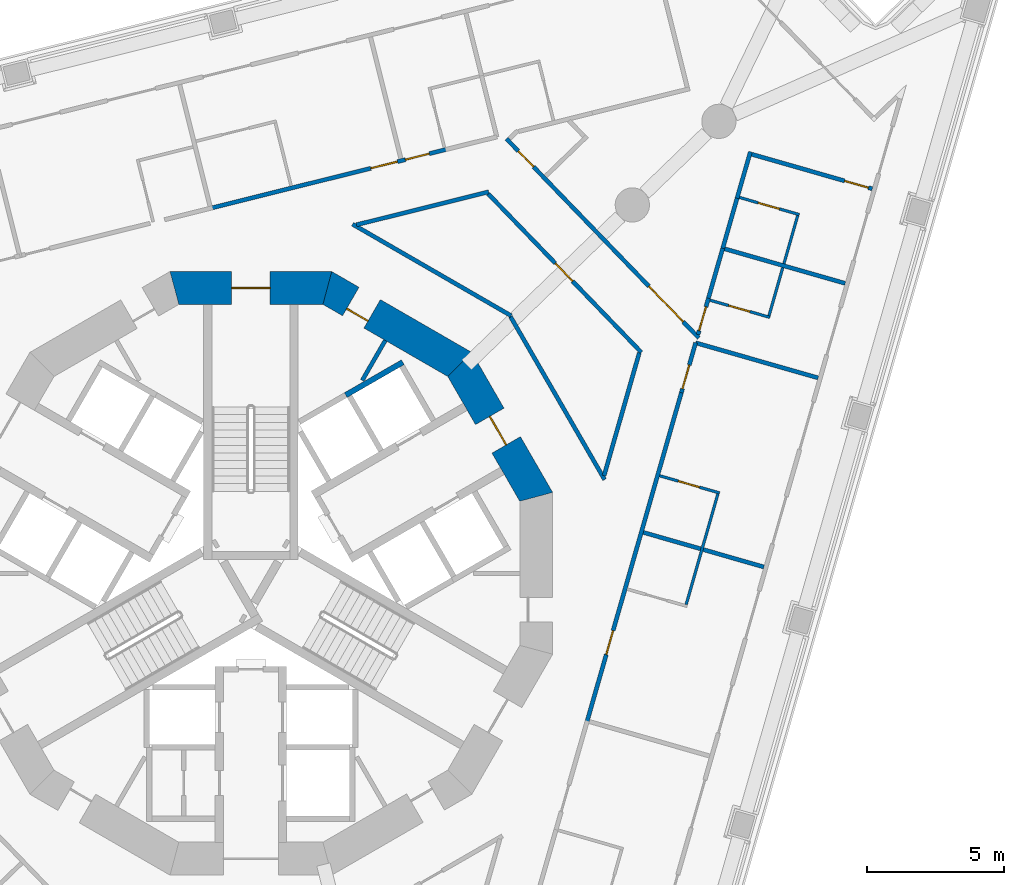
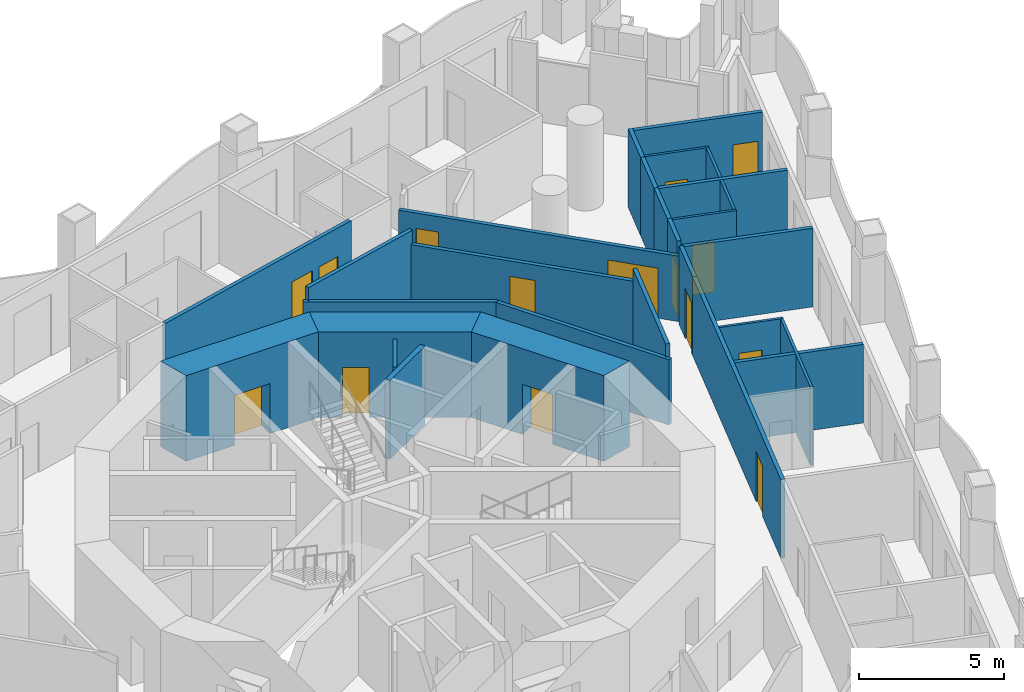
# One storey, part 9 of 18: 28 walls, 15 doors, 15 openings.
"""IFC4 building model written with IfcOpenShell, lengths in metres."""

from ifc_helpers import new_model, si_unit, direction, frame, frame_2d, origin, place, context, subcontext, project, spatial, polyline, rectangle, outline, extrude, material, layer, layer_set, type_object, element, fill, save


model = new_model("IFC4")

# Units and contexts
model_context = context("Model", 3, precision=1e-05, world=origin(), true_north=direction((0.0, 1.0)))
body_context = subcontext(model_context, "Body", "Model", "MODEL_VIEW")
ifc_project = project(units=[si_unit("LENGTHUNIT", "METRE"), si_unit("AREAUNIT", "SQUARE_METRE"), si_unit("VOLUMEUNIT", "CUBIC_METRE"), si_unit("PLANEANGLEUNIT", "RADIAN"), si_unit("MASSUNIT", "GRAM", prefix="KILO")], contexts=[model_context])

# Site, building, storey
site_placement = place(None, origin())
site = spatial("IfcSite", under=ifc_project, at=site_placement, CompositionType="ELEMENT")
building_placement = place(site_placement, origin())
building = spatial("IfcBuilding", under=site, at=building_placement, Name="Trine Commons Tower", CompositionType="ELEMENT")
storey_placement = place(building_placement, frame((0.0, 0.0, 94.5)))
storey = spatial("IfcBuildingStorey", under=building, at=storey_placement, Name="L23", CompositionType="ELEMENT", Elevation=94.5)

# Wall
ifc_material_1 = material(Name="Plasterboard partition on steel studs", Category="steel")
ifc_layer_1 = layer(ifc_material_1, 0.14990234375)
ifc_layer_set_1 = layer_set([ifc_layer_1], Name="Plasterboard partition on steel studs")
wall_type_1 = type_object("IfcWallType", Name="Core room partition 150 mm, EI 60", PredefinedType="PARTITIONING", material=ifc_layer_set_1)
wall_1_placement = place(storey_placement, frame((84.905029296875, 70.9970703125, 0.0), z_axis=(0.0, 0.0, 1.0), x_axis=(-0.500115728942, -0.865958577338, 0.0)))
element("IfcWall", 1, at=wall_1_placement, inside=storey, type_object=wall_type_1, Name="Core room partition L23", PredefinedType="PARTITIONING", context=body_context, shape_type="SweptSolid", body=[
    extrude(rectangle(XDim=1.68359375, YDim=0.14990234375, at=frame_2d((0.841796875, 0.0))), origin(), (0.0, 0.0, 1.0), 3.300048828125),
])

# Wall, opening, door
ifc_material_2 = material(Name="Concrete C70/85", Category="concrete")
ifc_layer_2 = layer(ifc_material_2, 1.199951171875)
ifc_layer_set_2 = layer_set([ifc_layer_2], Name="Concrete C70/85")
wall_type_2 = type_object("IfcWallType", Name="RC shear wall 1200 mm, C70/85", PredefinedType="SHEAR", material=ifc_layer_set_2)
wall_2_placement = place(storey_placement, frame((90.491943359375, 65.150390625, 0.0), z_axis=(0.0, 0.0, 1.0), x_axis=(-0.499979111662, 0.866037463336, 0.0)))
wall_2 = element("IfcWall", 2, at=wall_2_placement, inside=storey, type_object=wall_type_2, Name="Core wall CWC-02 L23", PredefinedType="SHEAR", context=body_context, shape_type="SweptSolid", body=[
    extrude(outline(polyline([(0.0, -0.60009765625), (5.901123046875, -0.60009765625), (5.57958984375, 0.60009765625), (0.321533203125, 0.60009765625), (0.0, -0.60009765625)])), origin(), (0.0, 0.0, 1.0), 3.60009765625),
])
opening_1_placement = place(wall_2_placement, frame((2.3505859375, 0.0, 0.0)))
opening_1 = element("IfcOpeningElement", 3, at=opening_1_placement, cuts=wall_2, Name="Opening K06.04", PredefinedType="OPENING", context=body_context, shape_type="SweptSolid", body=[
    extrude(rectangle(XDim=1.199951171875, YDim=2.10009765625, at=frame_2d((0.60009765625, 1.050048828125))), frame((0.0, 0.60986328125, 0.0), z_axis=(0.0, -1.0, 0.0), x_axis=(1.0, 0.0, 0.0)), (0.0, 0.0, 1.0), 1.219970703125),
])
ifc_material_3 = material(Name="Steel door leaves, fire-rated", Category="steel")
door_type_1 = type_object("IfcDoorType", Name="Lobby door, double leaf 1200 x 2100, FD60", OperationType="DOUBLE_DOOR_SINGLE_SWING", PredefinedType="DOOR", material=ifc_material_3)
door_1_placement = place(opening_1_placement, origin())
door_1 = element("IfcDoor", 4, at=door_1_placement, inside=storey, type_object=door_type_1, Name="Lobby door, Passenger lift lobby A L23", OperationType="DOUBLE_DOOR_SINGLE_SWING", OverallHeight=2.10009765625, OverallWidth=1.199951171875, PredefinedType="DOOR", context=body_context, shape_type="SweptSolid", body=[
    extrude(rectangle(XDim=1.199951171875, YDim=2.10009765625, at=frame_2d((0.60009765625, 1.050048828125))), frame((0.0, 0.02490234375, 0.0), z_axis=(0.0, -1.0, 0.0), x_axis=(1.0, 0.0, 0.0)), (0.0, 0.0, 1.0), 0.050048828125),
])
fill(opening_1, door_1)

wall_3_placement = place(storey_placement, frame((87.760986328125, 70.04150390625, 0.0), z_axis=(0.0, 0.0, 1.0), x_axis=(-0.866037463336, 0.499979111662, 0.0)))
wall_3 = element("IfcWall", 5, at=wall_3_placement, inside=storey, type_object=wall_type_2, Name="Core wall CWC-03 L23", PredefinedType="SHEAR", context=body_context, shape_type="SweptSolid", body=[
    extrude(outline(polyline([(0.0, -0.60009765625), (5.901123046875, -0.60009765625), (5.57958984375, 0.60009765625), (0.321533203125, 0.60009765625), (0.0, -0.60009765625)])), origin(), (0.0, 0.0, 1.0), 3.60009765625),
])
opening_2_placement = place(wall_3_placement, frame((3.8515625, 0.0, 0.0)))
opening_2 = element("IfcOpeningElement", 6, at=opening_2_placement, cuts=wall_3, Name="Opening K06.12", PredefinedType="OPENING", context=body_context, shape_type="SweptSolid", body=[
    extrude(rectangle(XDim=0.89990234375, YDim=2.10009765625, at=frame_2d((0.449951171875, 1.050048828125))), frame((0.0, 0.60986328125, 0.0), z_axis=(0.0, -1.0, 0.0), x_axis=(1.0, 0.0, 0.0)), (0.0, 0.0, 1.0), 1.219970703125),
])
ifc_material_4 = material(Name="Steel door leaf, fire-rated", Category="steel")
door_type_2 = type_object("IfcDoorType", Name="Core room door, single leaf 900 x 2100, FD30S", OperationType="SINGLE_SWING_LEFT", PredefinedType="DOOR", material=ifc_material_4)
door_2_placement = place(opening_2_placement, origin())
door_2 = element("IfcDoor", 7, at=door_2_placement, inside=storey, type_object=door_type_2, Name="Door to Cleaner's store L23", OperationType="SINGLE_SWING_RIGHT", OverallHeight=2.10009765625, OverallWidth=0.89990234375, PredefinedType="DOOR", context=body_context, shape_type="SweptSolid", body=[
    extrude(rectangle(XDim=0.89990234375, YDim=2.10009765625, at=frame_2d((0.449951171875, 1.050048828125))), frame((0.0, 0.3251953125, 0.0), z_axis=(0.0, -1.0, 0.0), x_axis=(1.0, 0.0, 0.0)), (0.0, 0.0, 1.0), 0.050048828125),
])
fill(opening_2, door_2)

wall_4_placement = place(storey_placement, frame((82.950439453125, 72.91162109375, 0.0), z_axis=(0.0, 0.0, 1.0), x_axis=(-1.0, 0.0, 0.0)))
wall_4 = element("IfcWall", 8, at=wall_4_placement, inside=storey, type_object=wall_type_2, Name="Core wall CWC-04 L23", PredefinedType="SHEAR", context=body_context, shape_type="SweptSolid", body=[
    extrude(outline(polyline([(0.0, -0.60009765625), (5.90087890625, -0.60009765625), (5.57958984375, 0.60009765625), (0.321533203125, 0.60009765625), (0.0, -0.60009765625)])), origin(), (0.0, 0.0, 1.0), 3.60009765625),
])
opening_3_placement = place(wall_4_placement, frame((2.25048828125, 0.0, 0.0)))
opening_3 = element("IfcOpeningElement", 9, at=opening_3_placement, cuts=wall_4, Name="Opening K06.01", PredefinedType="OPENING", context=body_context, shape_type="SweptSolid", body=[
    extrude(rectangle(XDim=1.39990234375, YDim=2.10009765625, at=frame_2d((0.699951171875, 1.050048828125))), frame((0.0, 0.60986328125, 0.0), z_axis=(0.0, -1.0, 0.0), x_axis=(1.0, 0.0, 0.0)), (0.0, 0.0, 1.0), 1.219970703125),
])
door_type_3 = type_object("IfcDoorType", Name="Stair door, double leaf 1400 x 2100, FD90", OperationType="DOUBLE_DOOR_SINGLE_SWING", PredefinedType="DOOR", material=ifc_material_3)
door_3_placement = place(opening_3_placement, origin())
door_3 = element("IfcDoor", 10, at=door_3_placement, inside=storey, type_object=door_type_3, Name="Stair door to Exit stair ST1A L23", OperationType="DOUBLE_DOOR_SINGLE_SWING", OverallHeight=2.10009765625, OverallWidth=1.39990234375, PredefinedType="DOOR", context=body_context, shape_type="SweptSolid", body=[
    extrude(rectangle(XDim=1.39990234375, YDim=2.10009765625, at=frame_2d((0.699951171875, 1.050048828125))), frame((0.0, 0.02490234375, 0.0), z_axis=(0.0, -1.0, 0.0), x_axis=(1.0, 0.0, 0.0)), (0.0, 0.0, 1.0), 0.050048828125),
])
fill(opening_3, door_3)

# Wall
ifc_material_5 = material(Name="Fire-rated gypsum shaft wall system")
ifc_layer_3 = layer(ifc_material_5, 0.199951171875)
ifc_layer_set_3 = layer_set([ifc_layer_3], Name="Fire-rated gypsum shaft wall system")
wall_type_3 = type_object("IfcWallType", Name="Shaft wall 200 mm, EI 120", PredefinedType="PARTITIONING", material=ifc_layer_set_3)
wall_5_placement = place(storey_placement, frame((83.4619140625, 69.001953125, 0.0), z_axis=(0.0, 0.0, 1.0), x_axis=(0.866202511239, 0.499693115345, 0.0)))
element("IfcWall", 11, at=wall_5_placement, inside=storey, type_object=wall_type_3, Name="Shaft wall L23", PredefinedType="PARTITIONING", context=body_context, shape_type="SweptSolid", body=[
    extrude(rectangle(XDim=2.4013671875, YDim=0.199951171875, at=frame_2d((1.20068359375, 0.0))), origin(), (0.0, 0.0, 1.0), 3.300048828125),
])

# Wall, openings, doors
ifc_material_6 = material(Name="Gypsum plasterboard on steel stud", Category="steel")
ifc_layer_4 = layer(ifc_material_6, 0.14990234375)
ifc_layer_set_4 = layer_set([ifc_layer_4], Name="Gypsum plasterboard on steel stud")
wall_type_4 = type_object("IfcWallType", Name="Unit and corridor wall 150 mm, EI 60", PredefinedType="PARTITIONING", material=ifc_layer_set_4)
wall_6_placement = place(storey_placement, frame((78.52392578125, 75.820068359375, 0.0), z_axis=(0.0, 0.0, 1.0), x_axis=(0.970312206825, 0.241855786133, 0.0)))
wall_6 = element("IfcWall", 12, at=wall_6_placement, inside=storey, type_object=wall_type_4, Name="Partition 063", PredefinedType="PARTITIONING", context=body_context, shape_type="SweptSolid", body=[
    extrude(rectangle(XDim=8.873046875, YDim=0.14990234375, at=frame_2d((4.4365234375, 0.0))), origin(), (0.0, 0.0, 1.0), 3.300048828125),
])
opening_4_placement = place(wall_6_placement, frame((6.0302734375, 0.0, 0.0)))
opening_4 = element("IfcOpeningElement", 13, at=opening_4_placement, cuts=wall_6, Name="Opening D-3A12", PredefinedType="OPENING", context=body_context, shape_type="SweptSolid", body=[
    extrude(rectangle(XDim=1.0, YDim=2.10009765625, at=frame_2d((0.5, 1.050048828125))), frame((0.0, 0.0849609375, 0.0), z_axis=(0.0, -1.0, 0.0), x_axis=(1.0, 0.0, 0.0)), (0.0, 0.0, 1.0), 0.169921875),
])
opening_5_placement = place(wall_6_placement, frame((7.330322265625, 0.0, 0.0)))
opening_5 = element("IfcOpeningElement", 14, at=opening_5_placement, cuts=wall_6, Name="Opening D-3A13", PredefinedType="OPENING", context=body_context, shape_type="SweptSolid", body=[
    extrude(rectangle(XDim=0.89990234375, YDim=2.10009765625, at=frame_2d((0.449951171875, 1.050048828125))), frame((0.0, 0.0849609375, 0.0), z_axis=(0.0, -1.0, 0.0), x_axis=(1.0, 0.0, 0.0)), (0.0, 0.0, 1.0), 0.169921875),
])
ifc_material_7 = material(Name="Timber fire door set", Category="wood")
door_type_4 = type_object("IfcDoorType", Name="Bedroom door 1000 x 2100, FD30S", OperationType="NOTDEFINED", PredefinedType="DOOR", material=ifc_material_7)
door_4_placement = place(opening_4_placement, origin())
door_4 = element("IfcDoor", 15, at=door_4_placement, inside=storey, type_object=door_type_4, Name="Door D-3A12", OperationType="SINGLE_SWING_RIGHT", OverallHeight=2.10009765625, OverallWidth=1.0, PredefinedType="DOOR", context=body_context, shape_type="SweptSolid", body=[
    extrude(rectangle(XDim=1.0, YDim=2.10009765625, at=frame_2d((0.5, 1.050048828125))), frame((0.0, 0.02490234375, 0.0), z_axis=(0.0, -1.0, 0.0), x_axis=(1.0, 0.0, 0.0)), (0.0, 0.0, 1.0), 0.050048828125),
])
fill(opening_4, door_4)
door_type_5 = type_object("IfcDoorType", Name="Bedroom door 900 x 2100, FD30S", OperationType="NOTDEFINED", PredefinedType="DOOR", material=ifc_material_7)
door_5_placement = place(opening_5_placement, origin())
door_5 = element("IfcDoor", 16, at=door_5_placement, inside=storey, type_object=door_type_5, Name="Door D-3A13", OperationType="SINGLE_SWING_RIGHT", OverallHeight=2.10009765625, OverallWidth=0.89990234375, PredefinedType="DOOR", context=body_context, shape_type="SweptSolid", body=[
    extrude(rectangle(XDim=0.89990234375, YDim=2.10009765625, at=frame_2d((0.449951171875, 1.050048828125))), frame((0.0, 0.02490234375, 0.0), z_axis=(0.0, -1.0, 0.0), x_axis=(1.0, 0.0, 0.0)), (0.0, 0.0, 1.0), 0.050048828125),
])
fill(opening_5, door_5)

# Walls
wall_7_placement = place(storey_placement, frame((83.7119140625, 75.237548828125, 0.0), z_axis=(0.0, 0.0, 1.0), x_axis=(0.866033484359, -0.499986003774, 0.0)))
element("IfcWall", 17, at=wall_7_placement, inside=storey, type_object=wall_type_4, Name="Partition 074", PredefinedType="PARTITIONING", context=body_context, shape_type="SweptSolid", body=[
    extrude(rectangle(XDim=6.682373046875, YDim=0.14990234375, at=frame_2d((3.34130859375, 0.0))), origin(), (0.0, 0.0, 1.0), 2.75),
])
wall_8_placement = place(storey_placement, frame((83.852783203125, 75.216064453125, 0.0), z_axis=(0.0, 0.0, 1.0), x_axis=(0.970312588938, 0.241854253112, 0.0)))
element("IfcWall", 18, at=wall_8_placement, inside=storey, type_object=wall_type_4, Name="Partition 075", PredefinedType="PARTITIONING", context=body_context, shape_type="SweptSolid", body=[
    extrude(rectangle(XDim=4.974609375, YDim=0.14990234375, at=frame_2d((2.4873046875, 0.0))), origin(), (0.0, 0.0, 1.0), 3.300048828125),
])

# Wall, opening, door
wall_9_placement = place(storey_placement, frame((88.6591796875, 76.34716796875, 0.0), z_axis=(0.0, 0.0, 1.0), x_axis=(0.694672534157, -0.719326122345, 0.0)))
wall_9 = element("IfcWall", 19, at=wall_9_placement, inside=storey, type_object=wall_type_4, Name="Partition 094", PredefinedType="PARTITIONING", context=body_context, shape_type="SweptSolid", body=[
    extrude(rectangle(XDim=8.041015625, YDim=0.14990234375, at=frame_2d((4.0205078125, 0.0))), origin(), (0.0, 0.0, 1.0), 2.75),
])
opening_6_placement = place(wall_9_placement, frame((3.533203125, 0.0, 0.0)))
opening_6 = element("IfcOpeningElement", 20, at=opening_6_placement, cuts=wall_9, Name="Opening D-3A29", PredefinedType="OPENING", context=body_context, shape_type="SweptSolid", body=[
    extrude(rectangle(XDim=0.89990234375, YDim=2.10009765625, at=frame_2d((0.449951171875, 1.050048828125))), frame((0.0, 0.0849609375, 0.0), z_axis=(0.0, -1.0, 0.0), x_axis=(1.0, 0.0, 0.0)), (0.0, 0.0, 1.0), 0.169921875),
])
door_type_6 = type_object("IfcDoorType", Name="Service door 900 x 2100, FD30S", OperationType="NOTDEFINED", PredefinedType="DOOR", material=ifc_material_7)
door_6_placement = place(opening_6_placement, frame((0.89990234375, 0.0, 0.0), z_axis=(0.0, 0.0, 1.0), x_axis=(-1.0, 0.0, 0.0)))
door_6 = element("IfcDoor", 21, at=door_6_placement, inside=storey, type_object=door_type_6, Name="Door D-3A29", OperationType="SINGLE_SWING_RIGHT", OverallHeight=2.10009765625, OverallWidth=0.89990234375, PredefinedType="DOOR", context=body_context, shape_type="SweptSolid", body=[
    extrude(rectangle(XDim=0.89990234375, YDim=2.10009765625, at=frame_2d((0.449951171875, 1.050048828125))), frame((0.0, 0.02490234375, 0.0), z_axis=(0.0, -1.0, 0.0), x_axis=(1.0, 0.0, 0.0)), (0.0, 0.0, 1.0), 0.050048828125),
])
fill(opening_6, door_6)

# Wall, openings, doors
wall_10_placement = place(storey_placement, frame((89.322998046875, 78.35791015625, 0.0), z_axis=(0.0, 0.0, 1.0), x_axis=(0.694707851552, -0.719292013713, 0.0)))
wall_10 = element("IfcWall", 22, at=wall_10_placement, inside=storey, type_object=wall_type_4, Name="Partition 098", PredefinedType="PARTITIONING", context=body_context, shape_type="SweptSolid", body=[
    extrude(rectangle(XDim=10.109619140625, YDim=0.14990234375, at=frame_2d((5.0546875, 0.0))), origin(), (0.0, 0.0, 1.0), 2.75),
])
opening_7_placement = place(wall_10_placement, frame((7.484130859375, 0.0, 0.0)))
opening_7 = element("IfcOpeningElement", 23, at=opening_7_placement, cuts=wall_10, Name="Opening D-3A01", PredefinedType="OPENING", context=body_context, shape_type="SweptSolid", body=[
    extrude(rectangle(XDim=1.800048828125, YDim=2.10009765625, at=frame_2d((0.89990234375, 1.050048828125))), frame((0.0, 0.0849609375, 0.0), z_axis=(0.0, -1.0, 0.0), x_axis=(1.0, 0.0, 0.0)), (0.0, 0.0, 1.0), 0.169921875),
])
opening_8_placement = place(wall_10_placement, frame((0.628662109375, 0.0, 0.0)))
opening_8 = element("IfcOpeningElement", 24, at=opening_8_placement, cuts=wall_10, Name="Opening D-3A04", PredefinedType="OPENING", context=body_context, shape_type="SweptSolid", body=[
    extrude(rectangle(XDim=0.800048828125, YDim=2.10009765625, at=frame_2d((0.39990234375, 1.050048828125))), frame((0.0, 0.0849609375, 0.0), z_axis=(0.0, -1.0, 0.0), x_axis=(1.0, 0.0, 0.0)), (0.0, 0.0, 1.0), 0.169921875),
])
door_type_7 = type_object("IfcDoorType", Name="Cluster entrance door 1800 x 2100, double leaf, FD30S", OperationType="DOUBLE_DOOR_DOUBLE_SWING", PredefinedType="DOOR", material=ifc_material_7)
door_7_placement = place(opening_7_placement, origin())
door_7 = element("IfcDoor", 25, at=door_7_placement, inside=storey, type_object=door_type_7, Name="Door D-3A01", OperationType="DOUBLE_DOOR_DOUBLE_SWING", OverallHeight=2.10009765625, OverallWidth=1.800048828125, PredefinedType="DOOR", context=body_context, shape_type="SweptSolid", body=[
    extrude(rectangle(XDim=1.800048828125, YDim=2.10009765625, at=frame_2d((0.89990234375, 1.050048828125))), frame((0.0, 0.02490234375, 0.0), z_axis=(0.0, -1.0, 0.0), x_axis=(1.0, 0.0, 0.0)), (0.0, 0.0, 1.0), 0.050048828125),
])
fill(opening_7, door_7)
ifc_material_8 = material(Name="Painted timber", Category="wood")
door_type_8 = type_object("IfcDoorType", Name="Toilet door 800 x 2100, NOT RATED", OperationType="NOTDEFINED", PredefinedType="DOOR", material=ifc_material_8)
door_8_placement = place(opening_8_placement, origin())
door_8 = element("IfcDoor", 26, at=door_8_placement, inside=storey, type_object=door_type_8, Name="Door D-3A04", OperationType="SINGLE_SWING_LEFT", OverallHeight=2.10009765625, OverallWidth=0.800048828125, PredefinedType="DOOR", context=body_context, shape_type="SweptSolid", body=[
    extrude(rectangle(XDim=0.800048828125, YDim=2.10009765625, at=frame_2d((0.39990234375, 1.050048828125))), frame((0.0, 0.02490234375, 0.0), z_axis=(0.0, -1.0, 0.0), x_axis=(1.0, 0.0, 0.0)), (0.0, 0.0, 1.0), 0.050048828125),
])
fill(opening_8, door_8)

# Wall
wall_11_placement = place(storey_placement, frame((89.471435546875, 71.868896484375, 0.0), z_axis=(0.0, 0.0, 1.0), x_axis=(0.500000410344, -0.866025166872, 0.0)))
element("IfcWall", 27, at=wall_11_placement, inside=storey, type_object=wall_type_4, Name="Partition 100", PredefinedType="PARTITIONING", context=body_context, shape_type="SweptSolid", body=[
    extrude(rectangle(XDim=6.8681640625, YDim=0.14990234375, at=frame_2d((3.43408203125, 0.0))), origin(), (0.0, 0.0, 1.0), 2.75),
])

# Wall, opening, door
wall_12_placement = place(storey_placement, frame((92.250244140625, 57.037841796875, 0.0), z_axis=(0.0, 0.0, 1.0), x_axis=(0.275659542854, 0.961255333631, 0.0)))
wall_12 = element("IfcWall", 28, at=wall_12_placement, inside=storey, type_object=wall_type_4, Name="Partition 111", PredefinedType="PARTITIONING", context=body_context, shape_type="SweptSolid", body=[
    extrude(rectangle(XDim=12.5400390625, YDim=0.14990234375, at=frame_2d((6.27001953125, 0.0))), origin(), (0.0, 0.0, 1.0), 3.300048828125),
])
opening_9_placement = place(wall_12_placement, frame((2.60205078125, 0.0, 0.0)))
opening_9 = element("IfcOpeningElement", 29, at=opening_9_placement, cuts=wall_12, Name="Opening D-3A18", PredefinedType="OPENING", context=body_context, shape_type="SweptSolid", body=[
    extrude(rectangle(XDim=0.89990234375, YDim=2.10009765625, at=frame_2d((0.449951171875, 1.050048828125))), frame((0.0, 0.0849609375, 0.0), z_axis=(0.0, -1.0, 0.0), x_axis=(1.0, 0.0, 0.0)), (0.0, 0.0, 1.0), 0.169921875),
])
door_9_placement = place(opening_9_placement, frame((0.89990234375, 0.0, 0.0), z_axis=(0.0, 0.0, 1.0), x_axis=(-1.0, 0.0, 0.0)))
door_9 = element("IfcDoor", 30, at=door_9_placement, inside=storey, type_object=door_type_5, Name="Door D-3A18", OperationType="SINGLE_SWING_RIGHT", OverallHeight=2.10009765625, OverallWidth=0.89990234375, PredefinedType="DOOR", context=body_context, shape_type="SweptSolid", body=[
    extrude(rectangle(XDim=0.89990234375, YDim=2.10009765625, at=frame_2d((0.449951171875, 1.050048828125))), frame((0.0, 0.02490234375, 0.0), z_axis=(0.0, -1.0, 0.0), x_axis=(1.0, 0.0, 0.0)), (0.0, 0.0, 1.0), 0.050048828125),
])
fill(opening_9, door_9)

# Walls
wall_13_placement = place(storey_placement, frame((92.88671875, 66.06103515625, 0.0), z_axis=(0.0, 0.0, 1.0), x_axis=(0.275619666794, 0.961266768008, 0.0)))
element("IfcWall", 31, at=wall_13_placement, inside=storey, type_object=wall_type_4, Name="Partition 115", PredefinedType="PARTITIONING", context=body_context, shape_type="SweptSolid", body=[
    extrude(rectangle(XDim=4.66455078125, YDim=0.14990234375, at=frame_2d((2.332275390625, 0.0))), origin(), (0.0, 0.0, 1.0), 3.300048828125),
])
wall_14_placement = place(storey_placement, frame((94.322021484375, 63.9921875, 0.0), z_axis=(0.0, 0.0, 1.0), x_axis=(0.961269673231, -0.275609534171, 0.0)))
element("IfcWall", 32, at=wall_14_placement, inside=storey, type_object=wall_type_4, Name="Partition 117", PredefinedType="PARTITIONING", context=body_context, shape_type="SweptSolid", body=[
    extrude(rectangle(XDim=4.572509765625, YDim=0.14990234375, at=frame_2d((2.2861328125, 0.0))), origin(), (0.0, 0.0, 1.0), 3.300048828125),
])

# Wall, opening, door
wall_15_placement = place(storey_placement, frame((95.70703125, 69.092041015625, 0.0), z_axis=(0.0, 0.0, 1.0), x_axis=(0.275265230362, 0.961368323253, 0.0)))
wall_15 = element("IfcWall", 33, at=wall_15_placement, inside=storey, type_object=wall_type_4, Name="Partition 120", PredefinedType="PARTITIONING", context=body_context, shape_type="SweptSolid", body=[
    extrude(rectangle(XDim=1.896240234375, YDim=0.14990234375, at=frame_2d((0.9482421875, 0.0))), origin(), (0.0, 0.0, 1.0), 3.300048828125),
])
opening_10_placement = place(wall_15_placement, frame((0.14990234375, 0.0, 0.0)))
opening_10 = element("IfcOpeningElement", 34, at=opening_10_placement, cuts=wall_15, Name="Opening D-3A17", PredefinedType="OPENING", context=body_context, shape_type="SweptSolid", body=[
    extrude(rectangle(XDim=0.89990234375, YDim=2.10009765625, at=frame_2d((0.449951171875, 1.050048828125))), frame((0.0, 0.0849609375, 0.0), z_axis=(0.0, -1.0, 0.0), x_axis=(1.0, 0.0, 0.0)), (0.0, 0.0, 1.0), 0.169921875),
])
door_10_placement = place(opening_10_placement, frame((0.89990234375, 0.0, 0.0), z_axis=(0.0, 0.0, 1.0), x_axis=(-1.0, 0.0, 0.0)))
door_10 = element("IfcDoor", 35, at=door_10_placement, inside=storey, type_object=door_type_5, Name="Door D-3A17", OperationType="SINGLE_SWING_RIGHT", OverallHeight=2.10009765625, OverallWidth=0.89990234375, PredefinedType="DOOR", context=body_context, shape_type="SweptSolid", body=[
    extrude(rectangle(XDim=0.89990234375, YDim=2.10009765625, at=frame_2d((0.449951171875, 1.050048828125))), frame((0.0, 0.02490234375, 0.0), z_axis=(0.0, -1.0, 0.0), x_axis=(1.0, 0.0, 0.0)), (0.0, 0.0, 1.0), 0.050048828125),
])
fill(opening_10, door_10)

# Wall
wall_16_placement = place(storey_placement, frame((96.22802734375, 70.910888671875, 0.0), z_axis=(0.0, 0.0, 1.0), x_axis=(0.961263836782, -0.275629889699, 0.0)))
element("IfcWall", 36, at=wall_16_placement, inside=storey, type_object=wall_type_4, Name="Partition 122", PredefinedType="PARTITIONING", context=body_context, shape_type="SweptSolid", body=[
    extrude(rectangle(XDim=4.6474609375, YDim=0.14990234375, at=frame_2d((2.32373046875, 0.0))), origin(), (0.0, 0.0, 1.0), 3.300048828125),
])

# Wall, opening, door
wall_17_placement = place(storey_placement, frame((96.314697265625, 71.212158203125, 0.0), z_axis=(0.0, 0.0, 1.0), x_axis=(0.275585969496, 0.961276429242, 0.0)))
wall_17 = element("IfcWall", 37, at=wall_17_placement, inside=storey, type_object=wall_type_4, Name="Partition 123", PredefinedType="PARTITIONING", context=body_context, shape_type="SweptSolid", body=[
    extrude(rectangle(XDim=1.37939453125, YDim=0.14990234375, at=frame_2d((0.689697265625, 0.0))), origin(), (0.0, 0.0, 1.0), 3.300048828125),
])
opening_11_placement = place(wall_17_placement, frame((0.14990234375, 0.0, 0.0)))
opening_11 = element("IfcOpeningElement", 38, at=opening_11_placement, cuts=wall_17, Name="Opening D-3A16", PredefinedType="OPENING", context=body_context, shape_type="SweptSolid", body=[
    extrude(rectangle(XDim=0.89990234375, YDim=2.10009765625, at=frame_2d((0.449951171875, 1.050048828125))), frame((0.0, 0.0849609375, 0.0), z_axis=(0.0, -1.0, 0.0), x_axis=(1.0, 0.0, 0.0)), (0.0, 0.0, 1.0), 0.169921875),
])
door_11_placement = place(opening_11_placement, frame((0.89990234375, 0.0, 0.0), z_axis=(0.0, 0.0, 1.0), x_axis=(-1.0, 0.0, 0.0)))
door_11 = element("IfcDoor", 39, at=door_11_placement, inside=storey, type_object=door_type_5, Name="Door D-3A16", OperationType="SINGLE_SWING_RIGHT", OverallHeight=2.10009765625, OverallWidth=0.89990234375, PredefinedType="DOOR", context=body_context, shape_type="SweptSolid", body=[
    extrude(rectangle(XDim=0.89990234375, YDim=2.10009765625, at=frame_2d((0.449951171875, 1.050048828125))), frame((0.0, 0.02490234375, 0.0), z_axis=(0.0, -1.0, 0.0), x_axis=(1.0, 0.0, 0.0)), (0.0, 0.0, 1.0), 0.050048828125),
])
fill(opening_11, door_11)

# Walls
wall_18_placement = place(storey_placement, frame((96.678955078125, 72.48193359375, 0.0), z_axis=(0.0, 0.0, 1.0), x_axis=(0.27541423688, 0.961325646243, 0.0)))
element("IfcWall", 40, at=wall_18_placement, inside=storey, type_object=wall_type_4, Name="Partition 124", PredefinedType="PARTITIONING", context=body_context, shape_type="SweptSolid", body=[
    extrude(rectangle(XDim=1.95361328125, YDim=0.14990234375, at=frame_2d((0.976806640625, 0.0))), origin(), (0.0, 0.0, 1.0), 3.300048828125),
])
wall_19_placement = place(storey_placement, frame((97.217041015625, 74.360107421875, 0.0), z_axis=(0.0, 0.0, 1.0), x_axis=(0.275776711259, 0.961221725476, 0.0)))
element("IfcWall", 41, at=wall_19_placement, inside=storey, type_object=wall_type_4, Name="Partition 126", PredefinedType="PARTITIONING", context=body_context, shape_type="SweptSolid", body=[
    extrude(rectangle(XDim=1.95458984375, YDim=0.14990234375, at=frame_2d((0.977294921875, 0.0))), origin(), (0.0, 0.0, 1.0), 3.300048828125),
])
wall_20_placement = place(storey_placement, frame((97.2890625, 74.33935546875, 0.0), z_axis=(0.0, 0.0, 1.0), x_axis=(0.961269673231, -0.275609534171, 0.0)))
element("IfcWall", 42, at=wall_20_placement, inside=storey, type_object=wall_type_4, Name="Partition 127", PredefinedType="PARTITIONING", context=body_context, shape_type="SweptSolid", body=[
    extrude(rectangle(XDim=4.572509765625, YDim=0.14990234375, at=frame_2d((2.2861328125, 0.0))), origin(), (0.0, 0.0, 1.0), 3.300048828125),
])
wall_21_placement = place(storey_placement, frame((97.7392578125, 76.183837890625, 0.0), z_axis=(0.0, 0.0, 1.0), x_axis=(0.275943660428, 0.961173811685, 0.0)))
element("IfcWall", 43, at=wall_21_placement, inside=storey, type_object=wall_type_4, Name="Partition 128", PredefinedType="PARTITIONING", context=body_context, shape_type="SweptSolid", body=[
    extrude(rectangle(XDim=1.766845703125, YDim=0.14990234375, at=frame_2d((0.88330078125, 0.0))), origin(), (0.0, 0.0, 1.0), 3.300048828125),
])

# Wall, opening, door
wall_22_placement = place(storey_placement, frame((98.278076171875, 77.789306640625, 0.0), z_axis=(0.0, 0.0, 1.0), x_axis=(0.961269673231, -0.275609534171, 0.0)))
wall_22 = element("IfcWall", 44, at=wall_22_placement, inside=storey, type_object=wall_type_4, Name="Partition 130", PredefinedType="PARTITIONING", context=body_context, shape_type="SweptSolid", body=[
    extrude(rectangle(XDim=4.572509765625, YDim=0.14990234375, at=frame_2d((2.2861328125, 0.0))), origin(), (0.0, 0.0, 1.0), 3.300048828125),
])
opening_12_placement = place(wall_22_placement, frame((3.522705078125, 0.0, 0.0)))
opening_12 = element("IfcOpeningElement", 45, at=opening_12_placement, cuts=wall_22, Name="Opening D-3A15", PredefinedType="OPENING", context=body_context, shape_type="SweptSolid", body=[
    extrude(rectangle(XDim=0.89990234375, YDim=2.10009765625, at=frame_2d((0.449951171875, 1.050048828125))), frame((0.0, 0.0849609375, 0.0), z_axis=(0.0, -1.0, 0.0), x_axis=(1.0, 0.0, 0.0)), (0.0, 0.0, 1.0), 0.169921875),
])
door_12_placement = place(opening_12_placement, frame((0.89990234375, 0.0, 0.0), z_axis=(0.0, 0.0, 1.0), x_axis=(-1.0, 0.0, 0.0)))
door_12 = element("IfcDoor", 46, at=door_12_placement, inside=storey, type_object=door_type_5, Name="Door D-3A15", OperationType="SINGLE_SWING_LEFT", OverallHeight=2.10009765625, OverallWidth=0.89990234375, PredefinedType="DOOR", context=body_context, shape_type="SweptSolid", body=[
    extrude(rectangle(XDim=0.89990234375, YDim=2.10009765625, at=frame_2d((0.449951171875, 1.050048828125))), frame((0.0, 0.02490234375, 0.0), z_axis=(0.0, -1.0, 0.0), x_axis=(1.0, 0.0, 0.0)), (0.0, 0.0, 1.0), 0.050048828125),
])
fill(opening_12, door_12)

ifc_layer_5 = layer(ifc_material_6, 0.10009765625)
ifc_layer_set_5 = layer_set([ifc_layer_5], Name="Gypsum plasterboard on steel stud")
wall_type_5 = type_object("IfcWallType", Name="Unit partition 100 mm, no rating", PredefinedType="PARTITIONING", material=ifc_layer_set_5)
wall_23_placement = place(storey_placement, frame((94.9150390625, 66.059326171875, 0.0), z_axis=(0.0, 0.0, 1.0), x_axis=(0.961252175385, -0.275670555767, 0.0)))
wall_23 = element("IfcWall", 47, at=wall_23_placement, inside=storey, type_object=wall_type_5, Name="Partition 119", PredefinedType="PARTITIONING", context=body_context, shape_type="SweptSolid", body=[
    extrude(rectangle(XDim=2.275146484375, YDim=0.10009765625, at=frame_2d((1.1376953125, 0.0))), origin(), (0.0, 0.0, 1.0), 3.300048828125),
])
opening_13_placement = place(wall_23_placement, frame((0.71240234375, 0.0, 0.0)))
opening_13 = element("IfcOpeningElement", 48, at=opening_13_placement, cuts=wall_23, Name="Opening D-3A46", PredefinedType="OPENING", context=body_context, shape_type="SweptSolid", body=[
    extrude(rectangle(XDim=0.800048828125, YDim=2.10009765625, at=frame_2d((0.39990234375, 1.050048828125))), frame((0.0, 0.06005859375, 0.0), z_axis=(0.0, -1.0, 0.0), x_axis=(1.0, 0.0, 0.0)), (0.0, 0.0, 1.0), 0.1201171875),
])
door_type_9 = type_object("IfcDoorType", Name="Internal door 800 x 2100, NOT RATED", OperationType="NOTDEFINED", PredefinedType="DOOR", material=ifc_material_8)
door_13_placement = place(opening_13_placement, origin())
door_13 = element("IfcDoor", 49, at=door_13_placement, inside=storey, type_object=door_type_9, Name="Door D-3A46", OperationType="SINGLE_SWING_LEFT", OverallHeight=2.10009765625, OverallWidth=0.800048828125, PredefinedType="DOOR", context=body_context, shape_type="SweptSolid", body=[
    extrude(rectangle(XDim=0.800048828125, YDim=2.10009765625, at=frame_2d((0.39990234375, 1.050048828125))), frame((0.0, 0.02490234375, 0.0), z_axis=(0.0, -1.0, 0.0), x_axis=(1.0, 0.0, 0.0)), (0.0, 0.0, 1.0), 0.050048828125),
])
fill(opening_13, door_13)

# Wall
wall_24_placement = place(storey_placement, frame((95.8818359375, 61.360107421875, 0.0), z_axis=(0.0, 0.0, 1.0), x_axis=(0.275772580604, 0.961222910561, 0.0)))
element("IfcWall", 50, at=wall_24_placement, inside=storey, type_object=wall_type_5, Name="Partition 121", PredefinedType="PARTITIONING", context=body_context, shape_type="SweptSolid", body=[
    extrude(rectangle(XDim=4.20068359375, YDim=0.10009765625, at=frame_2d((2.100341796875, 0.0))), origin(), (0.0, 0.0, 1.0), 3.300048828125),
])

# Wall, opening, door
wall_25_placement = place(storey_placement, frame((96.752197265625, 72.46533203125, 0.0), z_axis=(0.0, 0.0, 1.0), x_axis=(0.961252175385, -0.275670555767, 0.0)))
wall_25 = element("IfcWall", 51, at=wall_25_placement, inside=storey, type_object=wall_type_5, Name="Partition 125", PredefinedType="PARTITIONING", context=body_context, shape_type="SweptSolid", body=[
    extrude(rectangle(XDim=2.275146484375, YDim=0.10009765625, at=frame_2d((1.1376953125, 0.0))), origin(), (0.0, 0.0, 1.0), 3.300048828125),
])
opening_14_placement = place(wall_25_placement, frame((0.71240234375, 0.0, 0.0)))
opening_14 = element("IfcOpeningElement", 52, at=opening_14_placement, cuts=wall_25, Name="Opening D-3A45", PredefinedType="OPENING", context=body_context, shape_type="SweptSolid", body=[
    extrude(rectangle(XDim=0.800048828125, YDim=2.10009765625, at=frame_2d((0.39990234375, 1.050048828125))), frame((0.0, 0.06005859375, 0.0), z_axis=(0.0, -1.0, 0.0), x_axis=(1.0, 0.0, 0.0)), (0.0, 0.0, 1.0), 0.1201171875),
])
door_14_placement = place(opening_14_placement, frame((0.800048828125, 0.0, 0.0), z_axis=(0.0, 0.0, 1.0), x_axis=(-1.0, 0.0, 0.0)))
door_14 = element("IfcDoor", 53, at=door_14_placement, inside=storey, type_object=door_type_9, Name="Door D-3A45", OperationType="SINGLE_SWING_RIGHT", OverallHeight=2.10009765625, OverallWidth=0.800048828125, PredefinedType="DOOR", context=body_context, shape_type="SweptSolid", body=[
    extrude(rectangle(XDim=0.800048828125, YDim=2.10009765625, at=frame_2d((0.39990234375, 1.050048828125))), frame((0.0, 0.02490234375, 0.0), z_axis=(0.0, -1.0, 0.0), x_axis=(1.0, 0.0, 0.0)), (0.0, 0.0, 1.0), 0.050048828125),
])
fill(opening_14, door_14)

wall_26_placement = place(storey_placement, frame((97.8271484375, 76.21435546875, 0.0), z_axis=(0.0, 0.0, 1.0), x_axis=(0.961252175385, -0.275670555767, 0.0)))
wall_26 = element("IfcWall", 54, at=wall_26_placement, inside=storey, type_object=wall_type_5, Name="Partition 129", PredefinedType="PARTITIONING", context=body_context, shape_type="SweptSolid", body=[
    extrude(rectangle(XDim=2.275146484375, YDim=0.10009765625, at=frame_2d((1.1376953125, 0.0))), origin(), (0.0, 0.0, 1.0), 3.300048828125),
])
opening_15_placement = place(wall_26_placement, frame((0.71240234375, 0.0, 0.0)))
opening_15 = element("IfcOpeningElement", 55, at=opening_15_placement, cuts=wall_26, Name="Opening D-3A44", PredefinedType="OPENING", context=body_context, shape_type="SweptSolid", body=[
    extrude(rectangle(XDim=0.800048828125, YDim=2.10009765625, at=frame_2d((0.39990234375, 1.050048828125))), frame((0.0, 0.06005859375, 0.0), z_axis=(0.0, -1.0, 0.0), x_axis=(1.0, 0.0, 0.0)), (0.0, 0.0, 1.0), 0.1201171875),
])
door_15_placement = place(opening_15_placement, origin())
door_15 = element("IfcDoor", 56, at=door_15_placement, inside=storey, type_object=door_type_9, Name="Door D-3A44", OperationType="SINGLE_SWING_LEFT", OverallHeight=2.10009765625, OverallWidth=0.800048828125, PredefinedType="DOOR", context=body_context, shape_type="SweptSolid", body=[
    extrude(rectangle(XDim=0.800048828125, YDim=2.10009765625, at=frame_2d((0.39990234375, 1.050048828125))), frame((0.0, 0.02490234375, 0.0), z_axis=(0.0, -1.0, 0.0), x_axis=(1.0, 0.0, 0.0)), (0.0, 0.0, 1.0), 0.050048828125),
])
fill(opening_15, door_15)

# Walls
wall_27_placement = place(storey_placement, frame((98.90478515625, 71.900146484375, 0.0), z_axis=(0.0, 0.0, 1.0), x_axis=(0.275428095327, 0.96132167577, 0.0)))
element("IfcWall", 57, at=wall_27_placement, inside=storey, type_object=wall_type_5, Name="Partition 131", PredefinedType="PARTITIONING", context=body_context, shape_type="SweptSolid", body=[
    extrude(rectangle(XDim=1.82421875, YDim=0.10009765625, at=frame_2d((0.912109375, 0.0))), origin(), (0.0, 0.0, 1.0), 3.300048828125),
])
wall_28_placement = place(storey_placement, frame((99.44873046875, 73.798095703125, 0.0), z_axis=(0.0, 0.0, 1.0), x_axis=(0.275745372376, 0.96123071612, 0.0)))
element("IfcWall", 58, at=wall_28_placement, inside=storey, type_object=wall_type_5, Name="Partition 132", PredefinedType="PARTITIONING", context=body_context, shape_type="SweptSolid", body=[
    extrude(rectangle(XDim=1.82568359375, YDim=0.10009765625, at=frame_2d((0.912841796875, 0.0))), origin(), (0.0, 0.0, 1.0), 3.300048828125),
])

save(model, "model.ifc")
